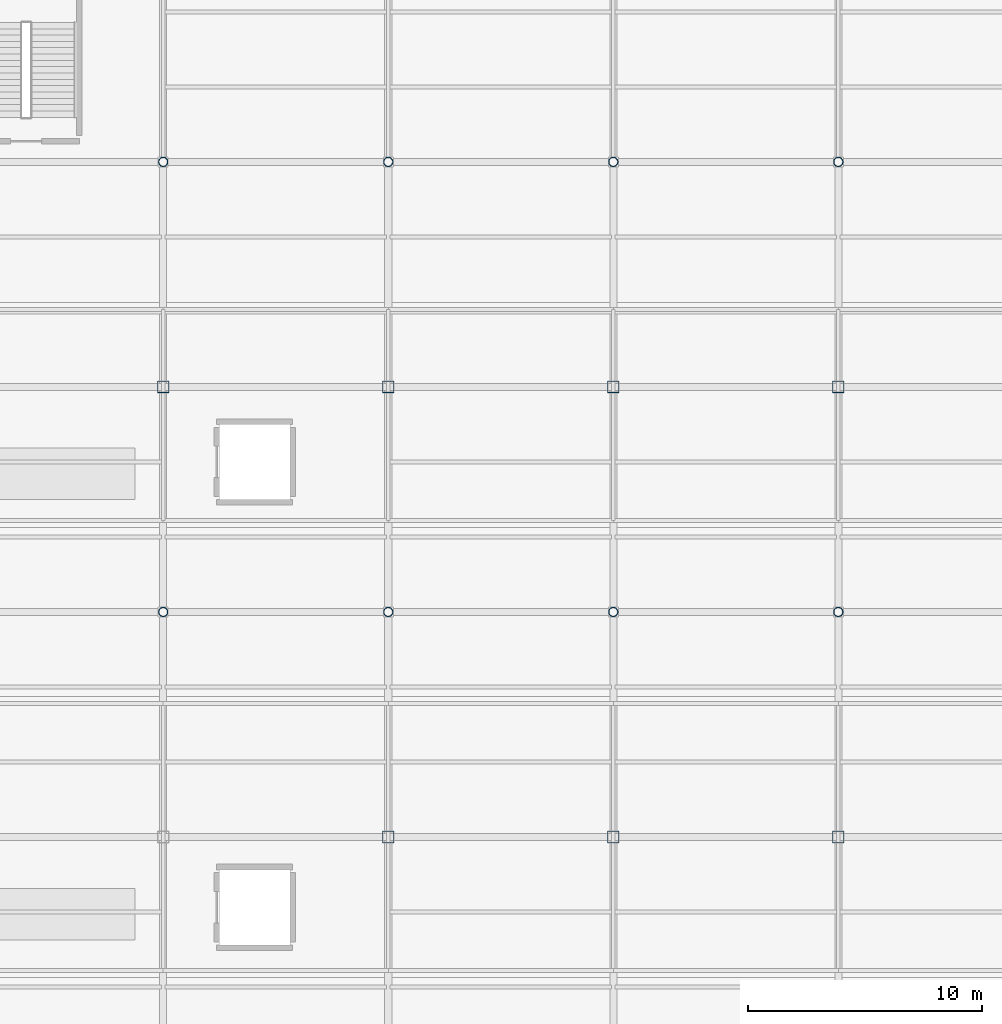
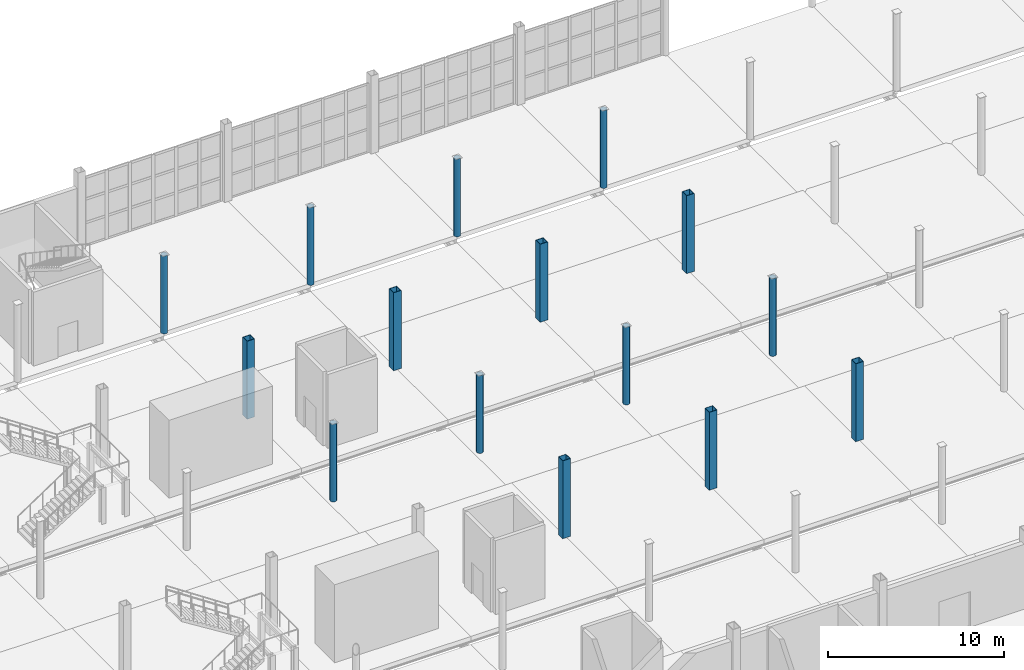
# One storey, part 15 of 85: 15 columns.
"""IFC4 building model written with IfcOpenShell, lengths in metres."""

from ifc_helpers import new_model, si_unit, direction, frame, origin, origin_2d, place, context, subcontext, project, spatial, hollow_rectangle, hollow_circle, extrude, material, material_profile, profile_set, type_object, element, save


model = new_model("IFC4")

# Units and contexts
model_context = context("Model", 3, precision=1e-05, world=origin(), true_north=direction((0.0, 1.0)))
body_context = subcontext(model_context, "Body", "Model", "MODEL_VIEW")
ifc_project = project(units=[si_unit("LENGTHUNIT", "METRE"), si_unit("AREAUNIT", "SQUARE_METRE"), si_unit("VOLUMEUNIT", "CUBIC_METRE"), si_unit("PLANEANGLEUNIT", "RADIAN"), si_unit("MASSUNIT", "GRAM", prefix="KILO")], contexts=[model_context])

# Site, building, storey
site_placement = place(None, origin())
site = spatial("IfcSite", under=ifc_project, at=site_placement, CompositionType="ELEMENT")
building_placement = place(site_placement, origin())
building = spatial("IfcBuilding", under=site, at=building_placement, Name="Zarnetskaya Central Station", CompositionType="ELEMENT")
storey_placement = place(building_placement, origin())
storey = spatial("IfcBuildingStorey", under=building, at=storey_placement, Name="L00", CompositionType="ELEMENT", Elevation=0.0)

# Columns
ifc_material = material(Name="Steel S355", Category="steel")
ifc_material_profile_1 = material_profile(ifc_material, hollow_circle(Radius=0.203125, WallThickness=0.02001953125, at=origin_2d()), Name="CHS 406.4x20")
ifc_profile_set_1 = profile_set([ifc_material_profile_1], Name="Steel S355")
column_type_1 = type_object("IfcColumnType", Name="COL-V1-PCAN", PredefinedType="COLUMN", material=ifc_profile_set_1)
for number, where, z_axis, x_axis, name in (
    (1, (96.0, 96.0, 0.0), (0.0, 0.0, 1.0), (1.0, 0.0, 0.0), "Column L12 L00"),
    (2, (96.0, 115.199951171875, 0.0), (0.0, 0.0, 1.0), (1.0, 0.0, 0.0), "Column L14 L00"),
    (3, (105.60009765625, 96.0, 0.0), (0.0, 0.0, 1.0), (1.0, 0.0, 0.0), "Column M12 L00"),
    (4, (105.60009765625, 115.199951171875, 0.0), (0.0, 0.0, 1.0), (1.0, 0.0, 0.0), "Column M14 L00"),
    (5, (115.199951171875, 96.0, 0.0), (0.0, 0.0, 1.0), (1.0, 0.0, 0.0), "Column N12 L00"),
    (6, (115.199951171875, 115.199951171875, 0.0), (0.0, 0.0, 1.0), (1.0, 0.0, 0.0), "Column N14 L00"),
    (7, (124.800048828125, 96.0, 0.0), (0.0, 0.0, 1.0), (1.0, 0.0, 0.0), "Column P12 L00"),
    (8, (124.800048828125, 115.199951171875, 0.0), (0.0, 0.0, 1.0), (1.0, 0.0, 0.0), "Column P14 L00"),
):
    element("IfcColumn", number, at=place(storey_placement, frame(where, z_axis=z_axis, x_axis=x_axis)), inside=storey, type_object=column_type_1, Name=name, PredefinedType="COLUMN", context=body_context, shape_type="SweptSolid", body=[
        extrude(hollow_circle(Radius=0.203125, WallThickness=0.02001953125, at=origin_2d()), origin(), (0.0, 0.0, 1.0), 5.387939453125),
    ])
ifc_material_profile_2 = material_profile(ifc_material, hollow_rectangle(XDim=0.5, YDim=0.5, WallThickness=0.02490234375, at=origin_2d()), Name="BOX 500x500x25")
ifc_profile_set_2 = profile_set([ifc_material_profile_2], Name="Steel S355")
column_type_2 = type_object("IfcColumnType", Name="COL-V1-SHED", PredefinedType="COLUMN", material=ifc_profile_set_2)
for number, where, z_axis, x_axis, name in (
    (9, (96.0, 105.60009765625, 0.0), (0.0, 0.0, 1.0), (1.0, 0.0, 0.0), "Column L13 L00"),
    (10, (105.60009765625, 86.39990234375, 0.0), (0.0, 0.0, 1.0), (1.0, 0.0, 0.0), "Column M11 L00"),
    (11, (105.60009765625, 105.60009765625, 0.0), (0.0, 0.0, 1.0), (1.0, 0.0, 0.0), "Column M13 L00"),
    (12, (115.199951171875, 86.39990234375, 0.0), (0.0, 0.0, 1.0), (1.0, 0.0, 0.0), "Column N11 L00"),
    (13, (115.199951171875, 105.60009765625, 0.0), (0.0, 0.0, 1.0), (1.0, 0.0, 0.0), "Column N13 L00"),
    (14, (124.800048828125, 86.39990234375, 0.0), (0.0, 0.0, 1.0), (1.0, 0.0, 0.0), "Column P11 L00"),
    (15, (124.800048828125, 105.60009765625, 0.0), (0.0, 0.0, 1.0), (1.0, 0.0, 0.0), "Column P13 L00"),
):
    element("IfcColumn", number, at=place(storey_placement, frame(where, z_axis=z_axis, x_axis=x_axis)), inside=storey, type_object=column_type_2, Name=name, PredefinedType="COLUMN", context=body_context, shape_type="SweptSolid", body=[
        extrude(hollow_rectangle(XDim=0.5, YDim=0.5, WallThickness=0.02490234375, at=origin_2d()), origin(), (0.0, 0.0, 1.0), 5.39990234375),
    ])

save(model, "model.ifc")
